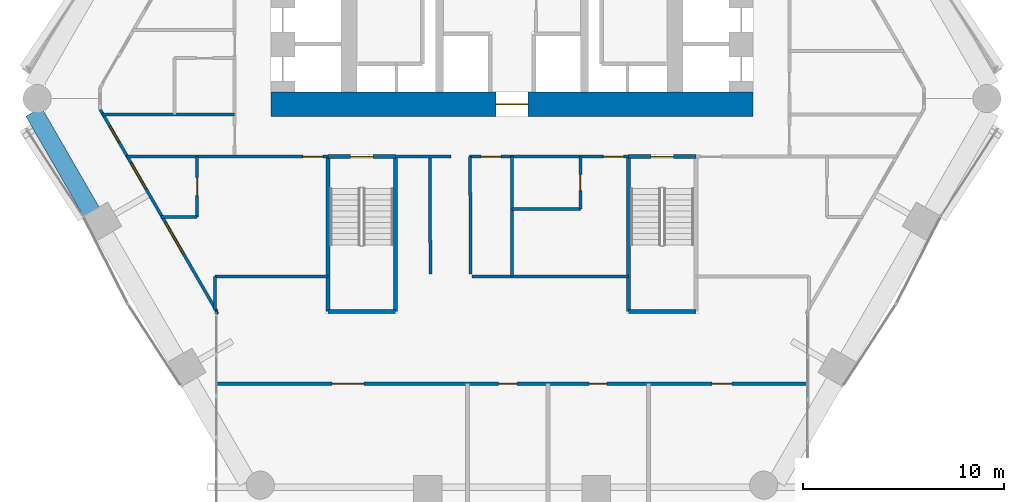
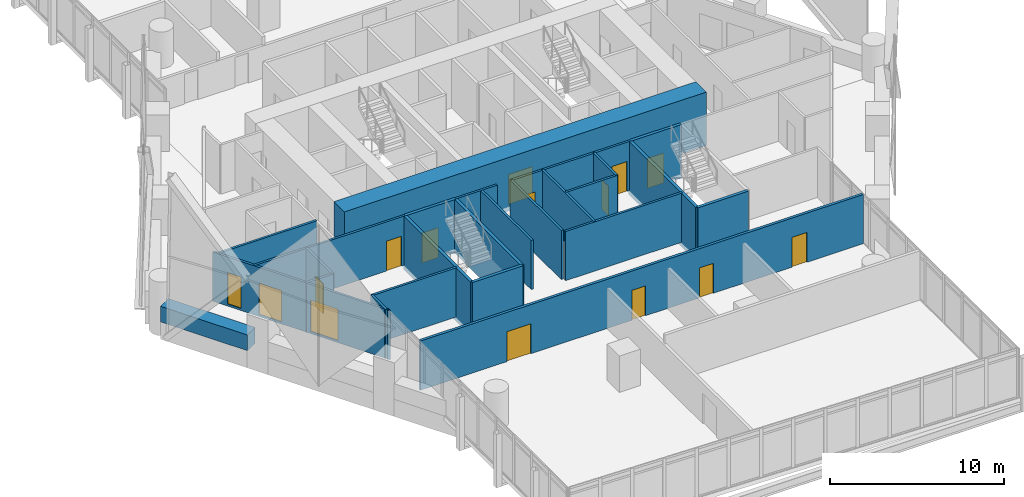
# One storey, part 26 of 35: 26 walls, 12 doors, 3 windows, 15 openings.
"""IFC4 building model written with IfcOpenShell, lengths in metres."""

from ifc_helpers import new_model, si_unit, direction, frame, frame_2d, origin, place, context, subcontext, project, spatial, rectangle, extrude, material, layer, layer_set, type_object, element, fill, save


model = new_model("IFC4")

# Units and contexts
model_context = context("Model", 3, precision=1e-05, world=origin(), true_north=direction((0.0, 1.0)))
body_context = subcontext(model_context, "Body", "Model", "MODEL_VIEW")
ifc_project = project(units=[si_unit("LENGTHUNIT", "METRE"), si_unit("AREAUNIT", "SQUARE_METRE"), si_unit("VOLUMEUNIT", "CUBIC_METRE"), si_unit("PLANEANGLEUNIT", "RADIAN"), si_unit("MASSUNIT", "GRAM", prefix="KILO")], contexts=[model_context])

# Site, building, storey
site_placement = place(None, origin())
site = spatial("IfcSite", under=ifc_project, at=site_placement, CompositionType="ELEMENT")
building_placement = place(site_placement, origin())
building = spatial("IfcBuilding", under=site, at=building_placement, Name="Ostrander Bayou Hotel Tower", CompositionType="ELEMENT")
storey_placement = place(building_placement, frame((0.0, 0.0, 69.25)))
storey = spatial("IfcBuildingStorey", under=building, at=storey_placement, Name="L17", CompositionType="ELEMENT", Elevation=69.25)

# Wall, opening, door
ifc_material_1 = material(Name="Concrete f'c 70 MPa", Category="concrete")
ifc_layer_1 = layer(ifc_material_1, 1.199951171875)
ifc_layer_set_1 = layer_set([ifc_layer_1], Name="CW1 core wall 1200 mm f'c 70 MPa")
wall_type_1 = type_object("IfcWallType", Name="CW1 core wall 1200 mm f'c 70 MPa", PredefinedType="SHEAR", material=ifc_layer_set_1)
wall_1_placement = place(storey_placement, frame((-12.0, -1.10009765625, -0.300048828125), z_axis=(0.0, 0.0, 1.0), x_axis=(1.0, 0.0, 0.0)))
wall_1 = element("IfcWall", 1, at=wall_1_placement, inside=storey, type_object=wall_type_1, Name="CW1 L17 S", PredefinedType="SHEAR", context=body_context, shape_type="SweptSolid", body=[
    extrude(rectangle(XDim=24.0, YDim=1.199951171875, at=frame_2d((12.0, 0.0))), origin(), (0.0, 0.0, 1.0), 3.75),
])
opening_1_placement = place(wall_1_placement, frame((11.199951171875, 0.0, 0.0)))
opening_1 = element("IfcOpeningElement", 2, at=opening_1_placement, cuts=wall_1, Name="Opening T16-001", PredefinedType="OPENING", context=body_context, shape_type="SweptSolid", body=[
    extrude(rectangle(XDim=1.60009765625, YDim=2.10009765625, at=frame_2d((0.800048828125, 1.050048828125))), frame((0.0, 0.60009765625, 0.0), z_axis=(0.0, -1.0, 0.0), x_axis=(1.0, 0.0, 0.0)), (0.0, 0.0, 1.0), 1.199951171875),
])
ifc_material_2 = material(Name="Timber door leaf", Category="wood")
door_type_1 = type_object("IfcDoorType", Name="D13 double door 1600 x 2100 mm, 1 hour", OperationType="SINGLE_SWING_LEFT", PredefinedType="DOOR", material=ifc_material_2)
door_1_placement = place(opening_1_placement, origin())
door_1 = element("IfcDoor", 3, at=door_1_placement, inside=storey, type_object=door_type_1, Name="dr:L17:001", OperationType="DOUBLE_DOOR_SINGLE_SWING", OverallHeight=2.10009765625, OverallWidth=1.60009765625, PredefinedType="DOOR", context=body_context, shape_type="SweptSolid", body=[
    extrude(rectangle(XDim=1.60009765625, YDim=2.10009765625, at=frame_2d((0.800048828125, 1.050048828125))), frame((0.0, 0.02490234375, 0.0), z_axis=(0.0, -1.0, 0.0), x_axis=(1.0, 0.0, 0.0)), (0.0, 0.0, 1.0), 0.050048828125),
])
fill(opening_1, door_1)

# Wall, openings, windows
ifc_material_3 = material(Name="Aluminium framed insulated wall", Category="aluminium")
ifc_layer_2 = layer(ifc_material_3, 0.14990234375)
ifc_layer_set_2 = layer_set([ifc_layer_2], Name="GW1 glass-line wall 150 mm")
wall_type_2 = type_object("IfcWallType", Name="GW1 glass-line wall 150 mm", PredefinedType="SOLIDWALL", material=ifc_layer_set_2)
wall_2_placement = place(storey_placement, frame((-20.49560546875, -1.350830078125, 0.0), z_axis=(0.0, 0.0, 1.0), x_axis=(0.500010091595, -0.866019577321, 0.0)))
wall_2 = element("IfcWall", 4, at=wall_2_placement, inside=storey, type_object=wall_type_2, Name="GW1 L17 SW 1", PredefinedType="SOLIDWALL", context=body_context, shape_type="SweptSolid", body=[
    extrude(rectangle(XDim=11.633056640625, YDim=0.14990234375, at=frame_2d((5.81640625, 0.0))), origin(), (0.0, 0.0, 1.0), 3.449951171875),
])
opening_2_placement = place(wall_2_placement, frame((0.97802734375, 0.0, 0.14990234375)))
opening_2 = element("IfcOpeningElement", 5, at=opening_2_placement, cuts=wall_2, Name="Opening W15", PredefinedType="OPENING", context=body_context, shape_type="SweptSolid", body=[
    extrude(rectangle(XDim=0.89990234375, YDim=2.199951171875, at=frame_2d((0.449951171875, 1.10009765625))), frame((0.0, 0.074951171875, 0.0), z_axis=(0.0, -1.0, 0.0), x_axis=(1.0, 0.0, 0.0)), (0.0, 0.0, 1.0), 0.14990234375),
])
opening_3_placement = place(wall_2_placement, frame((3.077880859375, 0.0, 0.14990234375)))
opening_3 = element("IfcOpeningElement", 6, at=opening_3_placement, cuts=wall_2, Name="Opening W11", PredefinedType="OPENING", context=body_context, shape_type="SweptSolid", body=[
    extrude(rectangle(XDim=1.5, YDim=2.199951171875, at=frame_2d((0.75, 1.10009765625))), frame((0.0, 0.074951171875, 0.0), z_axis=(0.0, -1.0, 0.0), x_axis=(1.0, 0.0, 0.0)), (0.0, 0.0, 1.0), 0.14990234375),
])
opening_4_placement = place(wall_2_placement, frame((6.500732421875, 0.0, 0.14990234375)))
opening_4 = element("IfcOpeningElement", 7, at=opening_4_placement, cuts=wall_2, Name="Opening W7", PredefinedType="OPENING", context=body_context, shape_type="SweptSolid", body=[
    extrude(rectangle(XDim=1.800048828125, YDim=2.199951171875, at=frame_2d((0.89990234375, 1.10009765625))), frame((0.0, 0.074951171875, 0.0), z_axis=(0.0, -1.0, 0.0), x_axis=(1.0, 0.0, 0.0)), (0.0, 0.0, 1.0), 0.14990234375),
])
ifc_material_4 = material(Name="Aluminium and clear glass", Category="aluminium")
window_type_1 = type_object("IfcWindowType", Name="W11 fixed window 1500 mm, bath bay, zone 1", PartitioningType="SINGLE_PANEL", PredefinedType="WINDOW", material=ifc_material_4)
window_1_placement = place(opening_3_placement, origin())
window_1 = element("IfcWindow", 8, at=window_1_placement, inside=storey, type_object=window_type_1, Name="W11 L17 SW 1", OverallHeight=2.199951171875, OverallWidth=1.5, PartitioningType="SINGLE_PANEL", PredefinedType="WINDOW", context=body_context, shape_type="SweptSolid", body=[
    extrude(rectangle(XDim=1.5, YDim=2.199951171875, at=frame_2d((0.75, 1.10009765625))), frame((0.0, 0.030029296875, 0.0), z_axis=(0.0, -1.0, 0.0), x_axis=(1.0, 0.0, 0.0)), (0.0, 0.0, 1.0), 0.06005859375),
])
fill(opening_3, window_1)
ifc_material_5 = material(Name="Aluminium and clear glass", Category="aluminium")
window_type_2 = type_object("IfcWindowType", Name="W15 window 900 mm, zone 1", PartitioningType="SINGLE_PANEL", PredefinedType="WINDOW", material=ifc_material_5)
window_2_placement = place(opening_2_placement, origin())
window_2 = element("IfcWindow", 9, at=window_2_placement, inside=storey, type_object=window_type_2, Name="W15 L17 SW 1", OverallHeight=2.199951171875, OverallWidth=0.89990234375, PartitioningType="SINGLE_PANEL", PredefinedType="WINDOW", context=body_context, shape_type="SweptSolid", body=[
    extrude(rectangle(XDim=0.89990234375, YDim=2.199951171875, at=frame_2d((0.449951171875, 1.10009765625))), frame((0.0, 0.030029296875, 0.0), z_axis=(0.0, -1.0, 0.0), x_axis=(1.0, 0.0, 0.0)), (0.0, 0.0, 1.0), 0.06005859375),
])
fill(opening_2, window_2)
ifc_material_6 = material(Name="Aluminium and clear glass", Category="aluminium")
window_type_3 = type_object("IfcWindowType", Name="W7 fixed window 1800 mm, bar storeys, zone 1", PartitioningType="SINGLE_PANEL", PredefinedType="WINDOW", material=ifc_material_6)
window_3_placement = place(opening_4_placement, origin())
window_3 = element("IfcWindow", 10, at=window_3_placement, inside=storey, type_object=window_type_3, Name="W7 L17 SW 2", OverallHeight=2.199951171875, OverallWidth=1.800048828125, PartitioningType="SINGLE_PANEL", PredefinedType="WINDOW", context=body_context, shape_type="SweptSolid", body=[
    extrude(rectangle(XDim=1.800048828125, YDim=2.199951171875, at=frame_2d((0.89990234375, 1.10009765625))), frame((0.0, 0.030029296875, 0.0), z_axis=(0.0, -1.0, 0.0), x_axis=(1.0, 0.0, 0.0)), (0.0, 0.0, 1.0), 0.06005859375),
])
fill(opening_4, window_3)

# Walls
wall_3_placement = place(storey_placement, frame((-14.678955078125, -11.42529296875, 0.0), z_axis=(0.0, 0.0, 1.0), x_axis=(-0.338543167143, -0.940950861619, 0.0)))
element("IfcWall", 11, at=wall_3_placement, inside=storey, type_object=wall_type_2, Name="GW1 L17 bar joint 1", PredefinedType="SOLIDWALL", context=body_context, shape_type="SweptSolid", body=[
    extrude(rectangle(XDim=0.09814453125, YDim=0.14990234375, at=frame_2d((0.049072265625, 0.0))), origin(), (0.0, 0.0, 1.0), 3.449951171875),
])
ifc_material_7 = material(Name="Limestone masonry", Category="masonry")
ifc_layer_3 = layer(ifc_material_7, 0.89990234375)
ifc_layer_set_3 = layer_set([ifc_layer_3], Name="PA2 limestone parapet 900 mm")
wall_type_3 = type_object("IfcWallType", Name="PA2 limestone parapet 900 mm", PredefinedType="PARAPET", material=ifc_layer_set_3)
wall_4_placement = place(storey_placement, frame((-23.8017578125, -1.47412109375, 0.0), z_axis=(0.0, 0.0, 1.0), x_axis=(0.499996461177, -0.866027446915, 0.0)))
element("IfcWall", 12, at=wall_4_placement, inside=storey, type_object=wall_type_3, Name="PA2 L17 SW-1", PredefinedType="PARAPET", context=body_context, shape_type="SweptSolid", body=[
    extrude(rectangle(XDim=5.7587890625, YDim=0.89990234375, at=frame_2d((2.87939453125, 0.0))), origin(), (0.0, 0.0, 1.0), 1.10009765625),
])

# Wall, openings, doors
ifc_material_8 = material(Name="Gypsum board partition", Category="finish")
ifc_layer_4 = layer(ifc_material_8, 0.175048828125)
ifc_layer_set_4 = layer_set([ifc_layer_4], Name="PT4 corridor wall 175 mm, 1 hour")
wall_type_4 = type_object("IfcWallType", Name="PT4 corridor wall 175 mm, 1 hour", PredefinedType="PARTITIONING", material=ifc_layer_set_4)
wall_5_placement = place(storey_placement, frame((-14.693115234375, -15.0, 0.0), z_axis=(0.0, 0.0, 1.0), x_axis=(1.0, 0.0, 0.0)))
wall_5 = element("IfcWall", 13, at=wall_5_placement, inside=storey, type_object=wall_type_4, Name="sw:L17:500", PredefinedType="PARTITIONING", context=body_context, shape_type="SweptSolid", body=[
    extrude(rectangle(XDim=29.38623046875, YDim=0.175048828125, at=frame_2d((14.693115234375, 0.0))), origin(), (0.0, 0.0, 1.0), 3.449951171875),
])
opening_5_placement = place(wall_5_placement, frame((14.030517578125, 0.0, 0.0)))
opening_5 = element("IfcOpeningElement", 14, at=opening_5_placement, cuts=wall_5, Name="Opening T16-1200", PredefinedType="OPENING", context=body_context, shape_type="SweptSolid", body=[
    extrude(rectangle(XDim=0.89990234375, YDim=2.10009765625, at=frame_2d((0.449951171875, 1.050048828125))), frame((0.0, 0.08740234375, 0.0), z_axis=(0.0, -1.0, 0.0), x_axis=(1.0, 0.0, 0.0)), (0.0, 0.0, 1.0), 0.175048828125),
])
opening_6_placement = place(wall_5_placement, frame((18.530517578125, 0.0, 0.0)))
opening_6 = element("IfcOpeningElement", 15, at=opening_6_placement, cuts=wall_5, Name="Opening T16-1201", PredefinedType="OPENING", context=body_context, shape_type="SweptSolid", body=[
    extrude(rectangle(XDim=0.89990234375, YDim=2.10009765625, at=frame_2d((0.449951171875, 1.050048828125))), frame((0.0, 0.08740234375, 0.0), z_axis=(0.0, -1.0, 0.0), x_axis=(1.0, 0.0, 0.0)), (0.0, 0.0, 1.0), 0.175048828125),
])
opening_7_placement = place(wall_5_placement, frame((24.637939453125, 0.0, 0.0)))
opening_7 = element("IfcOpeningElement", 16, at=opening_7_placement, cuts=wall_5, Name="Opening T16-1202", PredefinedType="OPENING", context=body_context, shape_type="SweptSolid", body=[
    extrude(rectangle(XDim=1.0, YDim=2.10009765625, at=frame_2d((0.5, 1.050048828125))), frame((0.0, 0.08740234375, 0.0), z_axis=(0.0, -1.0, 0.0), x_axis=(1.0, 0.0, 0.0)), (0.0, 0.0, 1.0), 0.175048828125),
])
opening_8_placement = place(wall_5_placement, frame((5.735595703125, 0.0, 0.0)))
opening_8 = element("IfcOpeningElement", 17, at=opening_8_placement, cuts=wall_5, Name="Opening T16-1203", PredefinedType="OPENING", context=body_context, shape_type="SweptSolid", body=[
    extrude(rectangle(XDim=1.60009765625, YDim=2.10009765625, at=frame_2d((0.800048828125, 1.050048828125))), frame((0.0, 0.08740234375, 0.0), z_axis=(0.0, -1.0, 0.0), x_axis=(1.0, 0.0, 0.0)), (0.0, 0.0, 1.0), 0.175048828125),
])
door_2_placement = place(opening_8_placement, origin())
door_2 = element("IfcDoor", 18, at=door_2_placement, inside=storey, type_object=door_type_1, Name="dr:L17:1203", OperationType="DOUBLE_DOOR_SINGLE_SWING", OverallHeight=2.10009765625, OverallWidth=1.60009765625, PredefinedType="DOOR", context=body_context, shape_type="SweptSolid", body=[
    extrude(rectangle(XDim=1.60009765625, YDim=2.10009765625, at=frame_2d((0.800048828125, 1.050048828125))), frame((0.0, 0.02490234375, 0.0), z_axis=(0.0, -1.0, 0.0), x_axis=(1.0, 0.0, 0.0)), (0.0, 0.0, 1.0), 0.050048828125),
])
fill(opening_8, door_2)
ifc_material_9 = material(Name="Timber door leaf", Category="wood")
door_type_2 = type_object("IfcDoorType", Name="D8 room door 900 x 2100 mm", OperationType="SINGLE_SWING_LEFT", PredefinedType="DOOR", material=ifc_material_9)
door_3_placement = place(opening_5_placement, origin())
door_3 = element("IfcDoor", 19, at=door_3_placement, inside=storey, type_object=door_type_2, Name="dr:L17:1200", OperationType="SINGLE_SWING_RIGHT", OverallHeight=2.10009765625, OverallWidth=0.89990234375, PredefinedType="DOOR", context=body_context, shape_type="SweptSolid", body=[
    extrude(rectangle(XDim=0.89990234375, YDim=2.10009765625, at=frame_2d((0.449951171875, 1.050048828125))), frame((0.0, 0.02490234375, 0.0), z_axis=(0.0, -1.0, 0.0), x_axis=(1.0, 0.0, 0.0)), (0.0, 0.0, 1.0), 0.050048828125),
])
fill(opening_5, door_3)
door_4_placement = place(opening_6_placement, origin())
door_4 = element("IfcDoor", 20, at=door_4_placement, inside=storey, type_object=door_type_2, Name="dr:L17:1201", OperationType="SINGLE_SWING_LEFT", OverallHeight=2.10009765625, OverallWidth=0.89990234375, PredefinedType="DOOR", context=body_context, shape_type="SweptSolid", body=[
    extrude(rectangle(XDim=0.89990234375, YDim=2.10009765625, at=frame_2d((0.449951171875, 1.050048828125))), frame((0.0, 0.02490234375, 0.0), z_axis=(0.0, -1.0, 0.0), x_axis=(1.0, 0.0, 0.0)), (0.0, 0.0, 1.0), 0.050048828125),
])
fill(opening_6, door_4)
ifc_material_10 = material(Name="Timber door leaf", Category="wood")
door_type_3 = type_object("IfcDoorType", Name="D9 service door 1000 x 2100 mm, 30 minute", OperationType="SINGLE_SWING_LEFT", PredefinedType="DOOR", material=ifc_material_10)
door_5_placement = place(opening_7_placement, origin())
door_5 = element("IfcDoor", 21, at=door_5_placement, inside=storey, type_object=door_type_3, Name="dr:L17:1202", OperationType="SINGLE_SWING_RIGHT", OverallHeight=2.10009765625, OverallWidth=1.0, PredefinedType="DOOR", context=body_context, shape_type="SweptSolid", body=[
    extrude(rectangle(XDim=1.0, YDim=2.10009765625, at=frame_2d((0.5, 1.050048828125))), frame((0.0, 0.02490234375, 0.0), z_axis=(0.0, -1.0, 0.0), x_axis=(1.0, 0.0, 0.0)), (0.0, 0.0, 1.0), 0.050048828125),
])
fill(opening_7, door_5)

# Walls
ifc_material_11 = material(Name="Gypsum board partition", Category="finish")
ifc_layer_5 = layer(ifc_material_11, 0.14990234375)
ifc_layer_set_5 = layer_set([ifc_layer_5], Name="PT8 service band wall 150 mm, 1 hour")
wall_type_5 = type_object("IfcWallType", Name="PT8 service band wall 150 mm, 1 hour", PredefinedType="PARTITIONING", material=ifc_layer_set_5)
wall_6_placement = place(storey_placement, frame((-14.784912109375, -9.679931640625, 0.0), z_axis=(0.0, 0.0, 1.0), x_axis=(1.0, 0.0, 0.0)))
element("IfcWall", 22, at=wall_6_placement, inside=storey, type_object=wall_type_5, Name="gw:L17:001", PredefinedType="PARTITIONING", context=body_context, shape_type="SweptSolid", body=[
    extrude(rectangle(XDim=5.625, YDim=0.14990234375, at=frame_2d((2.8125, 0.0))), origin(), (0.0, 0.0, 1.0), 3.449951171875),
])
wall_7_placement = place(storey_placement, frame((-1.97998046875, -9.679931640625, 0.0), z_axis=(0.0, 0.0, 1.0), x_axis=(1.0, 0.0, 0.0)))
element("IfcWall", 23, at=wall_7_placement, inside=storey, type_object=wall_type_5, Name="gw:L17:002", PredefinedType="PARTITIONING", context=body_context, shape_type="SweptSolid", body=[
    extrude(rectangle(XDim=7.77001953125, YDim=0.14990234375, at=frame_2d((3.885009765625, 0.0))), origin(), (0.0, 0.0, 1.0), 3.449951171875),
])
wall_8_placement = place(storey_placement, frame((-17.458984375, -6.699951171875, 0.0), z_axis=(0.0, 0.0, 1.0), x_axis=(1.0, 0.0, 0.0)))
element("IfcWall", 24, at=wall_8_placement, inside=storey, type_object=wall_type_5, Name="gw:L17:004", PredefinedType="PARTITIONING", context=body_context, shape_type="SweptSolid", body=[
    extrude(rectangle(XDim=1.7939453125, YDim=0.14990234375, at=frame_2d((0.89697265625, 0.0))), origin(), (0.0, 0.0, 1.0), 3.449951171875),
])
wall_9_placement = place(storey_placement, frame((0.0, -6.300048828125, 0.0), z_axis=(0.0, 0.0, 1.0), x_axis=(1.0, 0.0, 0.0)))
element("IfcWall", 25, at=wall_9_placement, inside=storey, type_object=wall_type_5, Name="gw:L17:006", PredefinedType="PARTITIONING", context=body_context, shape_type="SweptSolid", body=[
    extrude(rectangle(XDim=3.39990234375, YDim=0.14990234375, at=frame_2d((1.699951171875, 0.0))), origin(), (0.0, 0.0, 1.0), 3.449951171875),
])

# Wall, opening, door
wall_10_placement = place(storey_placement, frame((-19.19091796875, -3.699951171875, 0.0), z_axis=(0.0, 0.0, 1.0), x_axis=(1.0, 0.0, 0.0)))
wall_10 = element("IfcWall", 26, at=wall_10_placement, inside=storey, type_object=wall_type_5, Name="gw:L17:007", PredefinedType="PARTITIONING", context=body_context, shape_type="SweptSolid", body=[
    extrude(rectangle(XDim=10.031005859375, YDim=0.14990234375, at=frame_2d((5.015625, 0.0))), origin(), (0.0, 0.0, 1.0), 3.449951171875),
])
opening_9_placement = place(wall_10_placement, frame((8.791015625, 0.0, 0.0)))
opening_9 = element("IfcOpeningElement", 27, at=opening_9_placement, cuts=wall_10, Name="Opening T16-401", PredefinedType="OPENING", context=body_context, shape_type="SweptSolid", body=[
    extrude(rectangle(XDim=1.0, YDim=2.10009765625, at=frame_2d((0.5, 1.050048828125))), frame((0.0, 0.074951171875, 0.0), z_axis=(0.0, -1.0, 0.0), x_axis=(1.0, 0.0, 0.0)), (0.0, 0.0, 1.0), 0.14990234375),
])
ifc_material_12 = material(Name="Timber door leaf", Category="wood")
door_type_4 = type_object("IfcDoorType", Name="D1 guest room door 1000 x 2100 mm, 30 minute", OperationType="SINGLE_SWING_LEFT", PredefinedType="DOOR", material=ifc_material_12)
door_6_placement = place(opening_9_placement, origin())
door_6 = element("IfcDoor", 28, at=door_6_placement, inside=storey, type_object=door_type_4, Name="dr:L17:401", OperationType="SINGLE_SWING_RIGHT", OverallHeight=2.10009765625, OverallWidth=1.0, PredefinedType="DOOR", context=body_context, shape_type="SweptSolid", body=[
    extrude(rectangle(XDim=1.0, YDim=2.10009765625, at=frame_2d((0.5, 1.050048828125))), frame((0.0, 0.02490234375, 0.0), z_axis=(0.0, -1.0, 0.0), x_axis=(1.0, 0.0, 0.0)), (0.0, 0.0, 1.0), 0.050048828125),
])
fill(opening_9, door_6)

# Wall
wall_11_placement = place(storey_placement, frame((-5.7900390625, -3.699951171875, 0.0), z_axis=(0.0, 0.0, 1.0), x_axis=(1.0, 0.0, 0.0)))
element("IfcWall", 29, at=wall_11_placement, inside=storey, type_object=wall_type_5, Name="gw:L17:008", PredefinedType="PARTITIONING", context=body_context, shape_type="SweptSolid", body=[
    extrude(rectangle(XDim=2.7451171875, YDim=0.14990234375, at=frame_2d((1.37255859375, 0.0))), origin(), (0.0, 0.0, 1.0), 3.449951171875),
])

# Wall, openings, doors
wall_12_placement = place(storey_placement, frame((-2.125, -3.699951171875, 0.0), z_axis=(0.0, 0.0, 1.0), x_axis=(1.0, 0.0, 0.0)))
wall_12 = element("IfcWall", 30, at=wall_12_placement, inside=storey, type_object=wall_type_5, Name="gw:L17:009", PredefinedType="PARTITIONING", context=body_context, shape_type="SweptSolid", body=[
    extrude(rectangle(XDim=7.9150390625, YDim=0.14990234375, at=frame_2d((3.95751953125, 0.0))), origin(), (0.0, 0.0, 1.0), 3.449951171875),
])
opening_10_placement = place(wall_12_placement, frame((0.5830078125, 0.0, 0.0)))
opening_10 = element("IfcOpeningElement", 31, at=opening_10_placement, cuts=wall_12, Name="Opening T16-400", PredefinedType="OPENING", context=body_context, shape_type="SweptSolid", body=[
    extrude(rectangle(XDim=1.0, YDim=2.10009765625, at=frame_2d((0.5, 1.050048828125))), frame((0.0, 0.074951171875, 0.0), z_axis=(0.0, -1.0, 0.0), x_axis=(1.0, 0.0, 0.0)), (0.0, 0.0, 1.0), 0.14990234375),
])
opening_11_placement = place(wall_12_placement, frame((6.675048828125, 0.0, 0.0)))
opening_11 = element("IfcOpeningElement", 32, at=opening_11_placement, cuts=wall_12, Name="Opening T16-403", PredefinedType="OPENING", context=body_context, shape_type="SweptSolid", body=[
    extrude(rectangle(XDim=1.0, YDim=2.10009765625, at=frame_2d((0.5, 1.050048828125))), frame((0.0, 0.074951171875, 0.0), z_axis=(0.0, -1.0, 0.0), x_axis=(1.0, 0.0, 0.0)), (0.0, 0.0, 1.0), 0.14990234375),
])
door_7_placement = place(opening_11_placement, origin())
door_7 = element("IfcDoor", 33, at=door_7_placement, inside=storey, type_object=door_type_4, Name="dr:L17:403", OperationType="SINGLE_SWING_RIGHT", OverallHeight=2.10009765625, OverallWidth=1.0, PredefinedType="DOOR", context=body_context, shape_type="SweptSolid", body=[
    extrude(rectangle(XDim=1.0, YDim=2.10009765625, at=frame_2d((0.5, 1.050048828125))), frame((0.0, 0.02490234375, 0.0), z_axis=(0.0, -1.0, 0.0), x_axis=(1.0, 0.0, 0.0)), (0.0, 0.0, 1.0), 0.050048828125),
])
fill(opening_11, door_7)
door_8_placement = place(opening_10_placement, origin())
door_8 = element("IfcDoor", 34, at=door_8_placement, inside=storey, type_object=door_type_3, Name="dr:L17:400", OperationType="SINGLE_SWING_RIGHT", OverallHeight=2.10009765625, OverallWidth=1.0, PredefinedType="DOOR", context=body_context, shape_type="SweptSolid", body=[
    extrude(rectangle(XDim=1.0, YDim=2.10009765625, at=frame_2d((0.5, 1.050048828125))), frame((0.0, 0.02490234375, 0.0), z_axis=(0.0, -1.0, 0.0), x_axis=(1.0, 0.0, 0.0)), (0.0, 0.0, 1.0), 0.050048828125),
])
fill(opening_10, door_8)

# Wall
wall_13_placement = place(storey_placement, frame((-20.404052734375, -1.60009765625, 0.0), z_axis=(0.0, 0.0, 1.0), x_axis=(1.0, 0.0, 0.0)))
element("IfcWall", 35, at=wall_13_placement, inside=storey, type_object=wall_type_5, Name="gw:L17:011", PredefinedType="PARTITIONING", context=body_context, shape_type="SweptSolid", body=[
    extrude(rectangle(XDim=6.60400390625, YDim=0.14990234375, at=frame_2d((3.302001953125, 0.0))), origin(), (0.0, 0.0, 1.0), 3.449951171875),
])

# Wall, opening, door
wall_14_placement = place(storey_placement, frame((3.39990234375, -6.300048828125, 0.0), z_axis=(0.0, 0.0, 1.0), x_axis=(0.0, 1.0, 0.0)))
wall_14 = element("IfcWall", 36, at=wall_14_placement, inside=storey, type_object=wall_type_5, Name="gw:L17:022", PredefinedType="PARTITIONING", context=body_context, shape_type="SweptSolid", body=[
    extrude(rectangle(XDim=2.60009765625, YDim=0.14990234375, at=frame_2d((1.300048828125, 0.0))), origin(), (0.0, 0.0, 1.0), 3.449951171875),
])
opening_12_placement = place(wall_14_placement, frame((0.89990234375, 0.0, 0.0)))
opening_12 = element("IfcOpeningElement", 37, at=opening_12_placement, cuts=wall_14, Name="Opening T16-404", PredefinedType="OPENING", context=body_context, shape_type="SweptSolid", body=[
    extrude(rectangle(XDim=0.800048828125, YDim=2.10009765625, at=frame_2d((0.39990234375, 1.050048828125))), frame((0.0, 0.074951171875, 0.0), z_axis=(0.0, -1.0, 0.0), x_axis=(1.0, 0.0, 0.0)), (0.0, 0.0, 1.0), 0.14990234375),
])
ifc_material_13 = material(Name="Timber door leaf", Category="wood")
door_type_5 = type_object("IfcDoorType", Name="D2 bathroom door 800 x 2100 mm", OperationType="SINGLE_SWING_LEFT", PredefinedType="DOOR", material=ifc_material_13)
door_9_placement = place(opening_12_placement, origin())
door_9 = element("IfcDoor", 38, at=door_9_placement, inside=storey, type_object=door_type_5, Name="dr:L17:404", OperationType="SINGLE_SWING_RIGHT", OverallHeight=2.10009765625, OverallWidth=0.800048828125, PredefinedType="DOOR", context=body_context, shape_type="SweptSolid", body=[
    extrude(rectangle(XDim=0.800048828125, YDim=2.10009765625, at=frame_2d((0.39990234375, 1.050048828125))), frame((0.0, 0.02490234375, 0.0), z_axis=(0.0, -1.0, 0.0), x_axis=(1.0, 0.0, 0.0)), (0.0, 0.0, 1.0), 0.050048828125),
])
fill(opening_12, door_9)

# Walls
wall_15_placement = place(storey_placement, frame((0.0, -9.679931640625, 0.0), z_axis=(0.0, 0.0, 1.0), x_axis=(0.0, 1.0, 0.0)))
element("IfcWall", 39, at=wall_15_placement, inside=storey, type_object=wall_type_5, Name="gw:L17:023", PredefinedType="PARTITIONING", context=body_context, shape_type="SweptSolid", body=[
    extrude(rectangle(XDim=5.97998046875, YDim=0.14990234375, at=frame_2d((2.989990234375, 0.0))), origin(), (0.0, 0.0, 1.0), 3.449951171875),
])
wall_16_placement = place(storey_placement, frame((-14.784912109375, -11.33203125, 0.0), z_axis=(0.0, 0.0, 1.0), x_axis=(0.0, 1.0, 0.0)))
element("IfcWall", 40, at=wall_16_placement, inside=storey, type_object=wall_type_5, Name="gw:L17:025", PredefinedType="PARTITIONING", context=body_context, shape_type="SweptSolid", body=[
    extrude(rectangle(XDim=1.652099609375, YDim=0.14990234375, at=frame_2d((0.826171875, 0.0))), origin(), (0.0, 0.0, 1.0), 3.449951171875),
])

# Wall, opening, door
wall_17_placement = place(storey_placement, frame((-15.6650390625, -6.699951171875, 0.0), z_axis=(0.0, 0.0, 1.0), x_axis=(0.0, 1.0, 0.0)))
wall_17 = element("IfcWall", 41, at=wall_17_placement, inside=storey, type_object=wall_type_5, Name="gw:L17:027", PredefinedType="PARTITIONING", context=body_context, shape_type="SweptSolid", body=[
    extrude(rectangle(XDim=3.0, YDim=0.14990234375, at=frame_2d((1.5, 0.0))), origin(), (0.0, 0.0, 1.0), 3.449951171875),
])
opening_13_placement = place(wall_17_placement, frame((1.050048828125, 0.0, 0.0)))
opening_13 = element("IfcOpeningElement", 42, at=opening_13_placement, cuts=wall_17, Name="Opening T16-402", PredefinedType="OPENING", context=body_context, shape_type="SweptSolid", body=[
    extrude(rectangle(XDim=0.89990234375, YDim=2.10009765625, at=frame_2d((0.449951171875, 1.050048828125))), frame((0.0, 0.074951171875, 0.0), z_axis=(0.0, -1.0, 0.0), x_axis=(1.0, 0.0, 0.0)), (0.0, 0.0, 1.0), 0.14990234375),
])
ifc_material_14 = material(Name="Timber door leaf", Category="wood")
door_type_6 = type_object("IfcDoorType", Name="D14 bathroom door 900 x 2100 mm", OperationType="SINGLE_SWING_LEFT", PredefinedType="DOOR", material=ifc_material_14)
door_10_placement = place(opening_13_placement, origin())
door_10 = element("IfcDoor", 43, at=door_10_placement, inside=storey, type_object=door_type_6, Name="dr:L17:402", OperationType="SINGLE_SWING_RIGHT", OverallHeight=2.10009765625, OverallWidth=0.89990234375, PredefinedType="DOOR", context=body_context, shape_type="SweptSolid", body=[
    extrude(rectangle(XDim=0.89990234375, YDim=2.10009765625, at=frame_2d((0.449951171875, 1.050048828125))), frame((0.0, 0.02490234375, 0.0), z_axis=(0.0, -1.0, 0.0), x_axis=(1.0, 0.0, 0.0)), (0.0, 0.0, 1.0), 0.050048828125),
])
fill(opening_13, door_10)

# Walls
wall_18_placement = place(storey_placement, frame((-2.06103515625, -9.5400390625, 0.0), z_axis=(0.0, 0.0, 1.0), x_axis=(-0.004096784315, 0.999991608144, 0.0)))
element("IfcWall", 44, at=wall_18_placement, inside=storey, type_object=wall_type_5, Name="gw:L17:029", PredefinedType="PARTITIONING", context=body_context, shape_type="SweptSolid", body=[
    extrude(rectangle(XDim=5.840087890625, YDim=0.14990234375, at=frame_2d((2.919921875, 0.0))), origin(), (0.0, 0.0, 1.0), 3.449951171875),
])
wall_19_placement = place(storey_placement, frame((-4.06103515625, -9.5400390625, 0.0), z_axis=(0.0, 0.0, 1.0), x_axis=(-0.004100383939, 0.99999159339, 0.0)))
element("IfcWall", 45, at=wall_19_placement, inside=storey, type_object=wall_type_5, Name="gw:L17:030", PredefinedType="PARTITIONING", context=body_context, shape_type="SweptSolid", body=[
    extrude(rectangle(XDim=5.8349609375, YDim=0.14990234375, at=frame_2d((2.91748046875, 0.0))), origin(), (0.0, 0.0, 1.0), 3.449951171875),
])

# Wall, opening, door
ifc_material_15 = material(Name="Concrete f'c 45 MPa", Category="concrete")
ifc_layer_6 = layer(ifc_material_15, 0.199951171875)
ifc_layer_set_6 = layer_set([ifc_layer_6], Name="SW5 stair enclosure wall 200 mm f'c 45 MPa")
wall_type_6 = type_object("IfcWallType", Name="SW5 stair enclosure wall 200 mm f'c 45 MPa", PredefinedType="SOLIDWALL", material=ifc_layer_set_6)
wall_20_placement = place(storey_placement, frame((5.800048828125, -3.699951171875, -0.300048828125), z_axis=(0.0, 0.0, 1.0), x_axis=(1.0, 0.0, 0.0)))
wall_20 = element("IfcWall", 46, at=wall_20_placement, inside=storey, type_object=wall_type_6, Name="cs:L17:015", PredefinedType="SOLIDWALL", context=body_context, shape_type="SweptSolid", body=[
    extrude(rectangle(XDim=3.349853515625, YDim=0.199951171875, at=frame_2d((1.6748046875, 0.0))), origin(), (0.0, 0.0, 1.0), 3.75),
])
opening_14_placement = place(wall_20_placement, frame((1.125, 0.0, 0.0)))
opening_14 = element("IfcOpeningElement", 47, at=opening_14_placement, cuts=wall_20, Name="Opening T16-007", PredefinedType="OPENING", context=body_context, shape_type="SweptSolid", body=[
    extrude(rectangle(XDim=1.10009765625, YDim=2.10009765625, at=frame_2d((0.550048828125, 1.050048828125))), frame((0.0, 0.10009765625, 0.0), z_axis=(0.0, -1.0, 0.0), x_axis=(1.0, 0.0, 0.0)), (0.0, 0.0, 1.0), 0.199951171875),
])
ifc_material_16 = material(Name="Timber door leaf", Category="wood")
door_type_7 = type_object("IfcDoorType", Name="D5 stair door 1100 x 2100 mm, 90 minute", OperationType="SINGLE_SWING_LEFT", PredefinedType="DOOR", material=ifc_material_16)
door_11_placement = place(opening_14_placement, origin())
door_11 = element("IfcDoor", 48, at=door_11_placement, inside=storey, type_object=door_type_7, Name="dr:L17:007", OperationType="SINGLE_SWING_LEFT", OverallHeight=2.10009765625, OverallWidth=1.10009765625, PredefinedType="DOOR", context=body_context, shape_type="SweptSolid", body=[
    extrude(rectangle(XDim=1.10009765625, YDim=2.10009765625, at=frame_2d((0.550048828125, 1.050048828125))), frame((0.0, 0.02490234375, 0.0), z_axis=(0.0, -1.0, 0.0), x_axis=(1.0, 0.0, 0.0)), (0.0, 0.0, 1.0), 0.050048828125),
])
fill(opening_14, door_11)

# Walls
wall_21_placement = place(storey_placement, frame((5.800048828125, -3.699951171875, -0.300048828125), z_axis=(0.0, 0.0, 1.0), x_axis=(0.0, -1.0, 0.0)))
element("IfcWall", 49, at=wall_21_placement, inside=storey, type_object=wall_type_6, Name="cs:L17:016", PredefinedType="SOLIDWALL", context=body_context, shape_type="SweptSolid", body=[
    extrude(rectangle(XDim=7.699951171875, YDim=0.199951171875, at=frame_2d((3.85009765625, 0.0))), origin(), (0.0, 0.0, 1.0), 3.75),
])
wall_22_placement = place(storey_placement, frame((5.800048828125, -11.39990234375, -0.300048828125), z_axis=(0.0, 0.0, 1.0), x_axis=(1.0, 0.0, 0.0)))
element("IfcWall", 50, at=wall_22_placement, inside=storey, type_object=wall_type_6, Name="cs:L17:018", PredefinedType="SOLIDWALL", context=body_context, shape_type="SweptSolid", body=[
    extrude(rectangle(XDim=3.349853515625, YDim=0.199951171875, at=frame_2d((1.6748046875, 0.0))), origin(), (0.0, 0.0, 1.0), 3.75),
])

# Wall, opening, door
wall_23_placement = place(storey_placement, frame((-9.14990234375, -3.699951171875, -0.300048828125), z_axis=(0.0, 0.0, 1.0), x_axis=(1.0, 0.0, 0.0)))
wall_23 = element("IfcWall", 51, at=wall_23_placement, inside=storey, type_object=wall_type_6, Name="cs:L17:019", PredefinedType="SOLIDWALL", context=body_context, shape_type="SweptSolid", body=[
    extrude(rectangle(XDim=3.349853515625, YDim=0.199951171875, at=frame_2d((1.6748046875, 0.0))), origin(), (0.0, 0.0, 1.0), 3.75),
])
opening_15_placement = place(wall_23_placement, frame((1.125, 0.0, 0.0)))
opening_15 = element("IfcOpeningElement", 52, at=opening_15_placement, cuts=wall_23, Name="Opening T16-008", PredefinedType="OPENING", context=body_context, shape_type="SweptSolid", body=[
    extrude(rectangle(XDim=1.10009765625, YDim=2.10009765625, at=frame_2d((0.550048828125, 1.050048828125))), frame((0.0, 0.10009765625, 0.0), z_axis=(0.0, -1.0, 0.0), x_axis=(1.0, 0.0, 0.0)), (0.0, 0.0, 1.0), 0.199951171875),
])
door_12_placement = place(opening_15_placement, origin())
door_12 = element("IfcDoor", 53, at=door_12_placement, inside=storey, type_object=door_type_7, Name="dr:L17:008", OperationType="SINGLE_SWING_LEFT", OverallHeight=2.10009765625, OverallWidth=1.10009765625, PredefinedType="DOOR", context=body_context, shape_type="SweptSolid", body=[
    extrude(rectangle(XDim=1.10009765625, YDim=2.10009765625, at=frame_2d((0.550048828125, 1.050048828125))), frame((0.0, 0.02490234375, 0.0), z_axis=(0.0, -1.0, 0.0), x_axis=(1.0, 0.0, 0.0)), (0.0, 0.0, 1.0), 0.050048828125),
])
fill(opening_15, door_12)

# Walls
for number, where, z_axis, x_axis, name in (
    (54, (-9.14990234375, -3.699951171875, -0.300048828125), (0.0, 0.0, 1.0), (0.0, -1.0, 0.0), "cs:L17:020"),
    (55, (-5.800048828125, -3.699951171875, -0.300048828125), (0.0, 0.0, 1.0), (0.0, -1.0, 0.0), "cs:L17:021"),
):
    element("IfcWall", number, at=place(storey_placement, frame(where, z_axis=z_axis, x_axis=x_axis)), inside=storey, type_object=wall_type_6, Name=name, PredefinedType="SOLIDWALL", context=body_context, shape_type="SweptSolid", body=[
        extrude(rectangle(XDim=7.699951171875, YDim=0.199951171875, at=frame_2d((3.85009765625, 0.0))), origin(), (0.0, 0.0, 1.0), 3.75),
    ])
wall_24_placement = place(storey_placement, frame((-9.14990234375, -11.39990234375, -0.300048828125), z_axis=(0.0, 0.0, 1.0), x_axis=(1.0, 0.0, 0.0)))
element("IfcWall", 56, at=wall_24_placement, inside=storey, type_object=wall_type_6, Name="cs:L17:022", PredefinedType="SOLIDWALL", context=body_context, shape_type="SweptSolid", body=[
    extrude(rectangle(XDim=3.349853515625, YDim=0.199951171875, at=frame_2d((1.6748046875, 0.0))), origin(), (0.0, 0.0, 1.0), 3.75),
])

save(model, "model.ifc")
